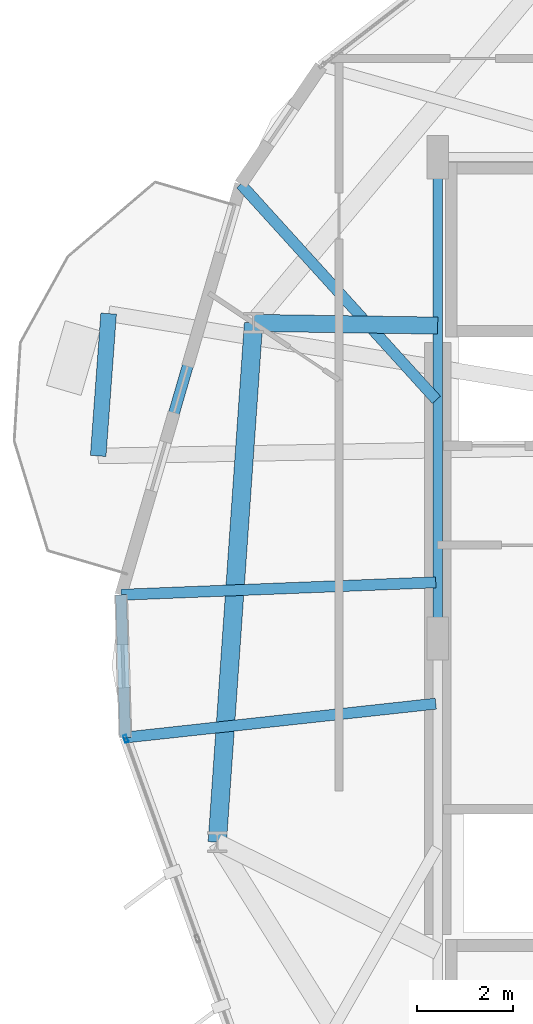
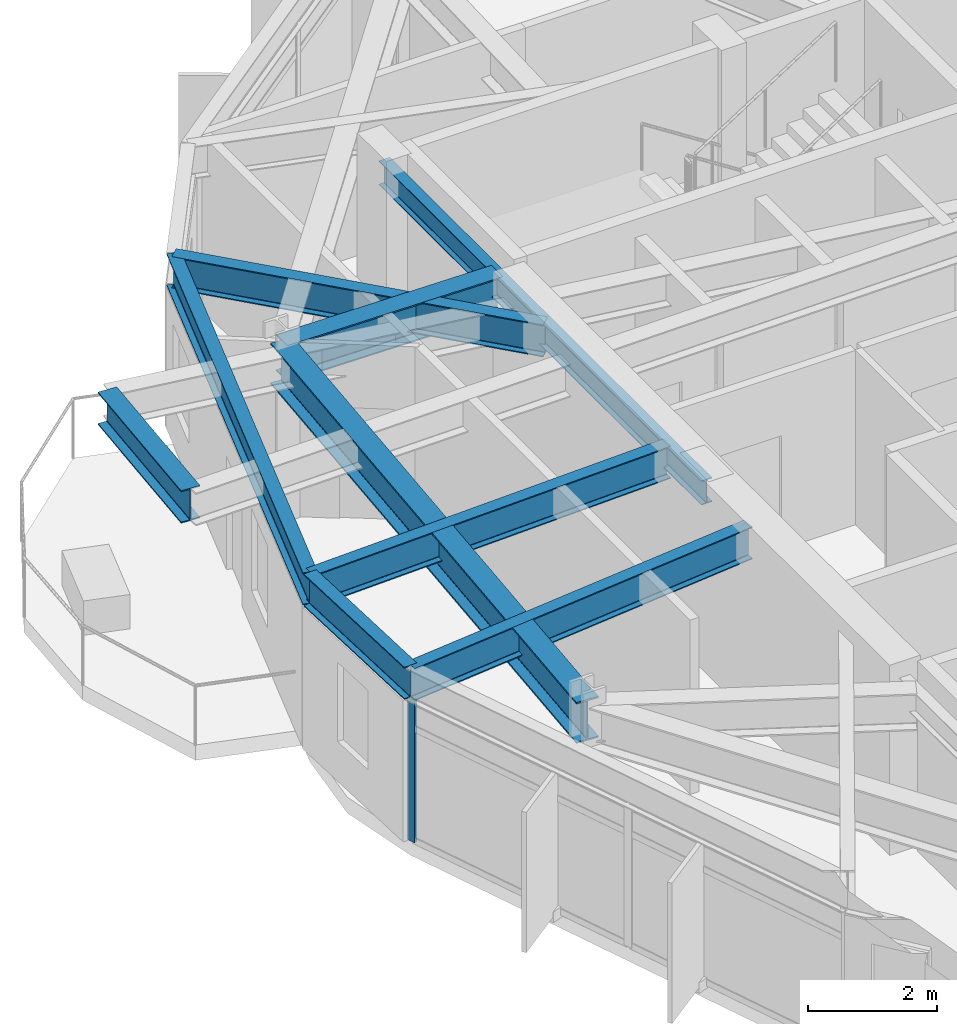
# One storey, part 7 of 23: 9 beams, 1 member, 1 element without a shape of its own.
"""IFC4 building model written with IfcOpenShell, lengths in metres."""

from ifc_helpers import new_model, si_unit, direction, frame, origin, origin_2d, place, context, subcontext, project, spatial, hollow_rectangle, i_section, extrude, material, layer, layer_set, material_profile, profile_set, type_object, element, aggregate, save


model = new_model("IFC4")

# Units and contexts
model_context = context("Model", 3, precision=1e-05, world=origin(), true_north=direction((0.0, 1.0)))
body_context = subcontext(model_context, "Body", "Model", "MODEL_VIEW")
ifc_project = project(units=[si_unit("LENGTHUNIT", "METRE"), si_unit("AREAUNIT", "SQUARE_METRE"), si_unit("VOLUMEUNIT", "CUBIC_METRE"), si_unit("PLANEANGLEUNIT", "RADIAN"), si_unit("MASSUNIT", "GRAM", prefix="KILO")], contexts=[model_context])

# Site, building, storey
site_placement = place(None, origin())
site = spatial("IfcSite", under=ifc_project, at=site_placement, CompositionType="ELEMENT")
building_placement = place(site_placement, origin())
building = spatial("IfcBuilding", under=site, at=building_placement, Name="Soratama Intermodal Tower", CompositionType="ELEMENT")
storey_placement = place(building_placement, frame((0.0, 0.0, 171.39990234375)))
storey = spatial("IfcBuildingStorey", under=building, at=storey_placement, Name="L42", CompositionType="ELEMENT", Elevation=171.39990234375)

# Beams
ifc_material_1 = material(Name="Structural steel ASTM A992 Grade 50", Category="steel")
ifc_material_profile_1 = material_profile(ifc_material_1, i_section(OverallWidth=0.324951171875, OverallDepth=0.615966796875, WebThickness=0.013916015625, FlangeThickness=0.021484375, FilletRadius=0.013916015625, at=origin_2d()), Name="W24X117")
ifc_profile_set_1 = profile_set([ifc_material_profile_1], Name="Structural steel ASTM A992 Grade 50")
beam_type_1 = type_object("IfcBeamType", Name="BM-CANT-W24X117", PredefinedType="BEAM", material=ifc_profile_set_1)
beam_1_placement = place(storey_placement, frame((25.762939453125, 31.7490234375, 2.9921875), z_axis=(-0.073201368393, -0.997317181074, 0.0), x_axis=(0.997317181074, -0.073201368393, 0.0)))
element("IfcBeam", 1, at=beam_1_placement, inside=storey, type_object=beam_type_1, Name="BM-L42-CBHDR-2", PredefinedType="BEAM", context=body_context, shape_type="SweptSolid", body=[
    extrude(i_section(OverallWidth=0.324951171875, OverallDepth=0.615966796875, WebThickness=0.013916015625, FlangeThickness=0.021484375, FilletRadius=0.013916015625, at=origin_2d()), origin(), (0.0, 0.0, 1.0), 2.965087890625),
])
ifc_material_2 = material(Name="Structural steel ASTM A992 Grade 50", Category="steel")
ifc_material_profile_2 = material_profile(ifc_material_2, i_section(OverallWidth=0.19091796875, OverallDepth=0.4599609375, WebThickness=0.010009765625, FlangeThickness=0.01611328125, FilletRadius=0.010986328125, at=origin_2d()), Name="W18X55")
ifc_profile_set_2 = profile_set([ifc_material_profile_2], Name="Structural steel ASTM A992 Grade 50")
beam_type_2 = type_object("IfcBeamType", Name="BM-FLR-W18X55", PredefinedType="BEAM", material=ifc_profile_set_2)
beam_2_placement = place(storey_placement, frame((32.60009765625, 35.0, 3.070068359375), z_axis=(0.0, -1.0, 0.0), x_axis=(1.0, 0.0, 0.0)))
element("IfcBeam", 2, at=beam_2_placement, inside=storey, type_object=beam_type_2, Name="BM-L42-CRING-08", PredefinedType="BEAM", context=body_context, shape_type="SweptSolid", body=[
    extrude(i_section(OverallWidth=0.19091796875, OverallDepth=0.4599609375, WebThickness=0.010009765625, FlangeThickness=0.01611328125, FilletRadius=0.010986328125, at=origin_2d()), origin(), (0.0, 0.0, 1.0), 10.0),
])
ifc_material_3 = material(Name="Structural steel ASTM A992 Grade 50", Category="steel")
ifc_material_profile_3 = material_profile(ifc_material_3, i_section(OverallWidth=0.35498046875, OverallDepth=0.695068359375, WebThickness=0.015380859375, FlangeThickness=0.02490234375, FilletRadius=0.01611328125, at=origin_2d()), Name="W27X146")
ifc_profile_set_3 = profile_set([ifc_material_profile_3], Name="Structural steel ASTM A992 Grade 50")
beam_type_3 = type_object("IfcBeamType", Name="BM-RING-W27X146", PredefinedType="BEAM", material=ifc_profile_set_3)
beam_3_placement = place(storey_placement, frame((32.60009765625, 31.5, 2.95263671875), z_axis=(-0.999893261134, 0.014610487289, 0.0), x_axis=(-0.014610487289, -0.999893261134, 0.0)))
element("IfcBeam", 3, at=beam_3_placement, inside=storey, type_object=beam_type_3, Name="BM-L42-RAD-05", PredefinedType="BEAM", context=body_context, shape_type="SweptSolid", body=[
    extrude(i_section(OverallWidth=0.35498046875, OverallDepth=0.695068359375, WebThickness=0.015380859375, FlangeThickness=0.02490234375, FilletRadius=0.01611328125, at=origin_2d()), origin(), (0.0, 0.0, 1.0), 3.82666015625),
])
ifc_material_4 = material(Name="Structural steel ASTM A992 Grade 50", Category="steel")
ifc_material_profile_4 = material_profile(ifc_material_4, i_section(OverallWidth=0.382080078125, OverallDepth=0.779052734375, WebThickness=0.01806640625, FlangeThickness=0.030029296875, FilletRadius=0.01806640625, at=origin_2d()), Name="W30X191")
ifc_profile_set_4 = profile_set([ifc_material_profile_4], Name="Structural steel ASTM A992 Grade 50")
beam_type_4 = type_object("IfcBeamType", Name="BM-RING-W30X191", PredefinedType="BEAM", material=ifc_profile_set_4)
beam_4_placement = place(storey_placement, frame((28.77392578125, 31.555908203125, 2.91064453125), z_axis=(-0.069702217409, -0.99756784275, 0.0), x_axis=(0.99756784275, -0.069702217409, 0.0)))
element("IfcBeam", 4, at=beam_4_placement, inside=storey, type_object=beam_type_4, Name="BM-L42-RING-05", PredefinedType="BEAM", context=body_context, shape_type="SweptSolid", body=[
    extrude(i_section(OverallWidth=0.382080078125, OverallDepth=0.779052734375, WebThickness=0.01806640625, FlangeThickness=0.030029296875, FilletRadius=0.01806640625, at=origin_2d()), origin(), (0.0, 0.0, 1.0), 10.816162109375),
])
ifc_material_5 = material(Name="Structural steel ASTM A992 Grade 50", Category="steel")
ifc_material_profile_5 = material_profile(ifc_material_5, i_section(OverallWidth=0.22900390625, OverallDepth=0.612060546875, WebThickness=0.011962890625, FlangeThickness=0.01953125, FilletRadius=0.012939453125, at=origin_2d()), Name="W24X84")
ifc_profile_set_5 = profile_set([ifc_material_profile_5], Name="Structural steel ASTM A992 Grade 50")
beam_type_5 = type_object("IfcBeamType", Name="BM-SPN-W24X84", PredefinedType="SPANDREL", material=ifc_profile_set_5)
beam_5_placement = place(storey_placement, frame((28.508056640625, 34.43896484375, 2.994140625), z_axis=(-0.279952530521, -0.960013843991, 0.0), x_axis=(0.960013843991, -0.279952530521, 0.0)))
element("IfcBeam", 5, at=beam_5_placement, inside=storey, type_object=beam_type_5, Name="BS-L42-F04", PredefinedType="SPANDREL", context=body_context, shape_type="SweptSolid", body=[
    extrude(i_section(OverallWidth=0.22900390625, OverallDepth=0.612060546875, WebThickness=0.011962890625, FlangeThickness=0.01953125, FilletRadius=0.012939453125, at=origin_2d()), origin(), (0.0, 0.0, 1.0), 8.887451171875),
])
beam_6_placement = place(storey_placement, frame((26.02001953125, 25.906982421875, 2.994140625), z_axis=(0.030368859808, -0.999538759806, 0.0), x_axis=(0.999538759806, 0.030368859808, 0.0)))
element("IfcBeam", 6, at=beam_6_placement, inside=storey, type_object=beam_type_5, Name="BS-L42-CRN04", PredefinedType="SPANDREL", context=body_context, shape_type="SweptSolid", body=[
    extrude(i_section(OverallWidth=0.22900390625, OverallDepth=0.612060546875, WebThickness=0.011962890625, FlangeThickness=0.01953125, FilletRadius=0.012939453125, at=origin_2d()), origin(), (0.0, 0.0, 1.0), 2.966552734375),
])
ifc_material_6 = material(Name="Structural steel ASTM A992 Grade 50", Category="steel")
ifc_material_profile_6 = material_profile(ifc_material_6, i_section(OverallWidth=0.22900390625, OverallDepth=0.612060546875, WebThickness=0.011962890625, FlangeThickness=0.01953125, FilletRadius=0.012939453125, at=origin_2d()), Name="W24X84")
ifc_profile_set_6 = profile_set([ifc_material_profile_6], Name="Structural steel ASTM A992 Grade 50")
beam_type_6 = type_object("IfcBeamType", Name="BM-TIE-W24X84", PredefinedType="BEAM", material=ifc_profile_set_6)
beam_7_placement = place(storey_placement, frame((32.572998046875, 29.9580078125, 2.994140625), z_axis=(-0.671889080551, 0.740651782849, 0.0), x_axis=(-0.740651782849, -0.671889080551, 0.0)))
element("IfcBeam", 7, at=beam_7_placement, inside=storey, type_object=beam_type_6, Name="BM-L42-TIE0-04", PredefinedType="BEAM", context=body_context, shape_type="SweptSolid", body=[
    extrude(i_section(OverallWidth=0.22900390625, OverallDepth=0.612060546875, WebThickness=0.011962890625, FlangeThickness=0.01953125, FilletRadius=0.012939453125, at=origin_2d()), origin(), (0.0, 0.0, 1.0), 6.050048828125),
])
beam_8_placement = place(storey_placement, frame((32.56005859375, 26.166015625, 2.994140625), z_axis=(-0.999216553061, -0.039576256637, 0.0), x_axis=(0.039576256637, -0.999216553061, 0.0)))
element("IfcBeam", 8, at=beam_8_placement, inside=storey, type_object=beam_type_6, Name="BM-L42-TIE1-04", PredefinedType="BEAM", context=body_context, shape_type="SweptSolid", body=[
    extrude(i_section(OverallWidth=0.22900390625, OverallDepth=0.612060546875, WebThickness=0.011962890625, FlangeThickness=0.01953125, FilletRadius=0.012939453125, at=origin_2d()), origin(), (0.0, 0.0, 1.0), 6.545166015625),
])
beam_9_placement = place(storey_placement, frame((32.56005859375, 23.64501953125, 2.994140625), z_axis=(-0.994110581976, -0.108370433252, 0.0), x_axis=(0.108370433252, -0.994110581976, 0.0)))
element("IfcBeam", 9, at=beam_9_placement, inside=storey, type_object=beam_type_6, Name="BM-L42-TIE0-05", PredefinedType="BEAM", context=body_context, shape_type="SweptSolid", body=[
    extrude(i_section(OverallWidth=0.22900390625, OverallDepth=0.612060546875, WebThickness=0.011962890625, FlangeThickness=0.01953125, FilletRadius=0.012939453125, at=origin_2d()), origin(), (0.0, 0.0, 1.0), 6.48828125),
])

# Curtain wall, member
ifc_material_7 = material(Name="Double-glazed aluminium curtain wall", Category="aluminium")
ifc_layer = layer(ifc_material_7, 0.159912109375)
ifc_layer_set = layer_set([ifc_layer], Name="Double-glazed aluminium curtain wall")
curtain_wall_type = type_object("IfcCurtainWallType", Name="CW-SYS-4", PredefinedType="NOTDEFINED", material=ifc_layer_set)
curtain_wall_placement = place(storey_placement, origin())
curtain_wall = element("IfcCurtainWall", 10, at=curtain_wall_placement, inside=storey, type_object=curtain_wall_type, Name="L42 Faceted Curtain Wall F05", PredefinedType="NOTDEFINED")
ifc_material_8 = material(Name="Anodised aluminium AA 6063-T6", Category="aluminium")
ifc_material_profile_7 = material_profile(ifc_material_8, hollow_rectangle(XDim=0.070068359375, YDim=0.159912109375, WallThickness=0.0048828125, InnerFilletRadius=0.0048828125, OuterFilletRadius=0.010009765625, at=origin_2d()), Name="CWM160X70X5")
ifc_profile_set_7 = profile_set([ifc_material_profile_7], Name="Anodised aluminium AA 6063-T6")
member_type = type_object("IfcMemberType", Name="MT-CWM-4", PredefinedType="MULLION", material=ifc_profile_set_7)
member_placement = place(storey_placement, frame((26.119873046875, 22.9140625, 0.0), z_axis=(0.0, 0.0, 1.0), x_axis=(0.94123549358, 0.337751011288, 0.0)))
member = element("IfcMember", 11, at=member_placement, type_object=member_type, Name="CW-4 mullion 1", PredefinedType="MULLION", context=body_context, shape_type="SweptSolid", body=[
    extrude(hollow_rectangle(XDim=0.070068359375, YDim=0.159912109375, WallThickness=0.0048828125, InnerFilletRadius=0.0048828125, OuterFilletRadius=0.010009765625, at=origin_2d()), origin(), (0.0, 0.0, 1.0), 2.67919921875),
])
aggregate(curtain_wall, [member])

save(model, "model.ifc")
